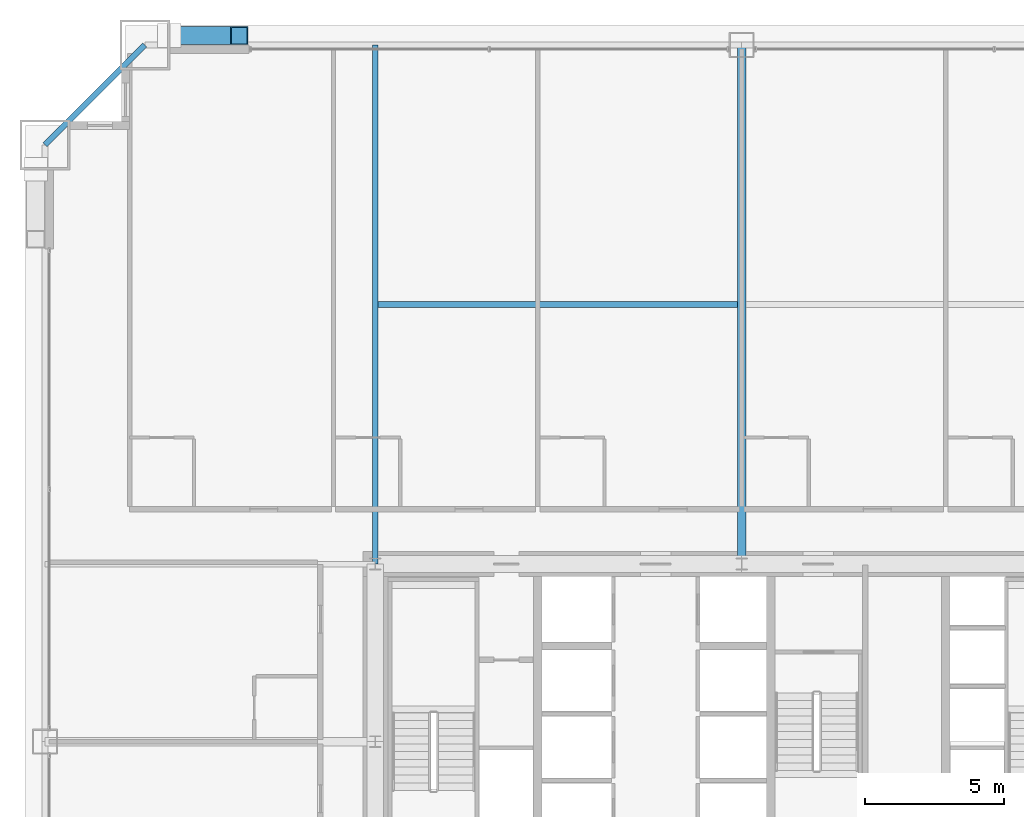
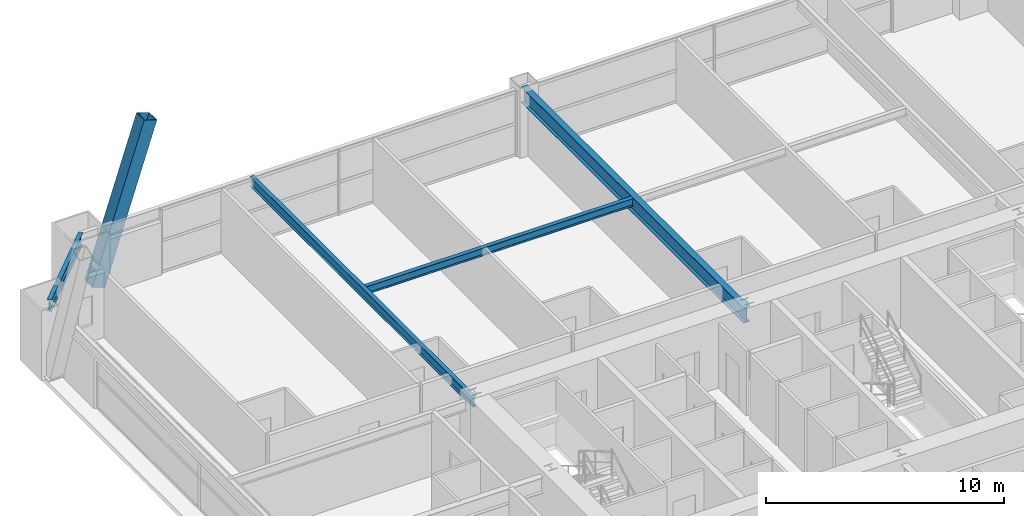
# One storey, part 25 of 43: 4 beams, 1 member.
"""IFC4 building model written with IfcOpenShell, lengths in metres."""

from ifc_helpers import new_model, si_unit, direction, frame, origin, origin_2d, place, context, subcontext, project, spatial, hollow_rectangle, i_section, extrude, source, transform, mapped, material, material_profile, profile_set, type_object, element, save


model = new_model("IFC4")

# Units and contexts
model_context = context("Model", 3, precision=1e-05, world=origin(), true_north=direction((0.0, 1.0)))
body_context = subcontext(model_context, "Body", "Model", "MODEL_VIEW")
ifc_project = project(units=[si_unit("LENGTHUNIT", "METRE"), si_unit("AREAUNIT", "SQUARE_METRE"), si_unit("VOLUMEUNIT", "CUBIC_METRE"), si_unit("PLANEANGLEUNIT", "RADIAN"), si_unit("MASSUNIT", "GRAM", prefix="KILO"), si_unit("THERMODYNAMICTEMPERATUREUNIT", "KELVIN"), si_unit("POWERUNIT", "WATT")], contexts=[model_context])

# Site, building, storey
site_placement = place(None, origin())
site = spatial("IfcSite", under=ifc_project, at=site_placement, CompositionType="ELEMENT")
building_placement = place(site_placement, origin())
building = spatial("IfcBuilding", under=site, at=building_placement, Name="Yuzanri Waterfront Tower", CompositionType="ELEMENT")
storey_placement = place(building_placement, frame((0.0, 0.0, 37.800048828125)))
storey = spatial("IfcBuildingStorey", under=building, at=storey_placement, Name="L09", CompositionType="ELEMENT", Elevation=37.800048828125)

# Beams
ifc_material_1 = material(Name="Steel Q355B", Category="steel")
ifc_material_profile_1 = material_profile(ifc_material_1, i_section(OverallWidth=0.199951171875, OverallDepth=0.60009765625, WebThickness=0.010986328125, FlangeThickness=0.01708984375, at=origin_2d()), Name="HN 600x200x11x17")
ifc_profile_set_1 = profile_set([ifc_material_profile_1], Name="Steel Q355B")
beam_type_1 = type_object("IfcBeamType", Name="Perimeter Spandrel Q355B HN 600x200", PredefinedType="SPANDREL", material=ifc_profile_set_1)
shared_shape_1 = source(origin(), body_context, "Body", "SweptSolid", [
    extrude(i_section(OverallWidth=0.199951171875, OverallDepth=0.60009765625, WebThickness=0.010986328125, FlangeThickness=0.01708984375, at=origin_2d()), origin(), (0.0, 0.0, 1.0), 5.091064453125),
])
beam_1_placement = place(storey_placement, frame((15.5, 50.89990234375, 3.02001953125), z_axis=(-0.707130757816, -0.707082803744, 0.0), x_axis=(0.707082803744, -0.707130757816, 0.0)))
element("IfcBeam", 1, at=beam_1_placement, inside=storey, type_object=beam_type_1, Name="L09 Perimeter Spandrel N1-W3", PredefinedType="SPANDREL", context=body_context, shape_type="MappedRepresentation", body=[
    mapped(shared_shape_1, transform((0.0, 0.0, 0.0), scale=1.0)),
])
ifc_material_2 = material(Name="Steel Q355B", Category="steel")
ifc_material_profile_2 = material_profile(ifc_material_2, i_section(OverallWidth=0.300048828125, OverallDepth=0.800048828125, WebThickness=0.013916015625, FlangeThickness=0.02587890625, at=origin_2d()), Name="HN 800x300x14x26")
ifc_profile_set_2 = profile_set([ifc_material_profile_2], Name="Steel Q355B")
beam_type_2 = type_object("IfcBeamType", Name="Primary Floor Girder Q355B HN 800x300", PredefinedType="BEAM", material=ifc_profile_set_2)
shared_shape_2 = source(origin(), body_context, "Body", "SweptSolid", [
    extrude(i_section(OverallWidth=0.300048828125, OverallDepth=0.800048828125, WebThickness=0.013916015625, FlangeThickness=0.02587890625, at=origin_2d()), origin(), (0.0, 0.0, 1.0), 18.699951171875),
])
beam_2_placement = place(storey_placement, frame((37.0, 32.199951171875, 2.919921875), z_axis=(0.0, 1.0, 0.0), x_axis=(-1.0, 0.0, 0.0)))
element("IfcBeam", 2, at=beam_2_placement, inside=storey, type_object=beam_type_2, Name="L09 North Grid Girder", PredefinedType="BEAM", context=body_context, shape_type="MappedRepresentation", body=[
    mapped(shared_shape_2, transform((0.0, 0.0, 0.0), scale=1.0)),
])
ifc_material_3 = material(Name="Steel Q355B", Category="steel")
ifc_material_profile_3 = material_profile(ifc_material_3, i_section(OverallWidth=0.199951171875, OverallDepth=0.5, WebThickness=0.010009765625, FlangeThickness=0.01611328125, at=origin_2d()), Name="HN 500x200x10x16")
ifc_profile_set_3 = profile_set([ifc_material_profile_3], Name="Steel Q355B")
beam_type_3 = type_object("IfcBeamType", Name="Secondary Floor Beam Q355B HN 500x200", PredefinedType="BEAM", material=ifc_profile_set_3)
shared_shape_3 = source(origin(), body_context, "Body", "SweptSolid", [
    extrude(i_section(OverallWidth=0.199951171875, OverallDepth=0.5, WebThickness=0.010009765625, FlangeThickness=0.01611328125, at=origin_2d()), origin(), (0.0, 0.0, 1.0), 18.699951171875),
])
beam_3_placement = place(storey_placement, frame((23.800048828125, 32.199951171875, 3.070068359375), z_axis=(0.0, 1.0, 0.0), x_axis=(-1.0, 0.0, 0.0)))
element("IfcBeam", 3, at=beam_3_placement, inside=storey, type_object=beam_type_3, Name="L09 North-West Core Line Beam", PredefinedType="BEAM", context=body_context, shape_type="MappedRepresentation", body=[
    mapped(shared_shape_3, transform((0.0, 0.0, 0.0), scale=1.0)),
])
ifc_material_4 = material(Name="Steel Q355B", Category="steel")
ifc_material_profile_4 = material_profile(ifc_material_4, i_section(OverallWidth=0.199951171875, OverallDepth=0.39990234375, WebThickness=0.008056640625, FlangeThickness=0.012939453125, at=origin_2d()), Name="HN 400x200x8x13")
ifc_profile_set_4 = profile_set([ifc_material_profile_4], Name="Steel Q355B")
beam_type_4 = type_object("IfcBeamType", Name="Floor Joist Q355B HN 400x200", PredefinedType="JOIST", material=ifc_profile_set_4)
shared_shape_4 = source(origin(), body_context, "Body", "SweptSolid", [
    extrude(i_section(OverallWidth=0.199951171875, OverallDepth=0.39990234375, WebThickness=0.008056640625, FlangeThickness=0.012939453125, at=origin_2d()), origin(), (0.0, 0.0, 1.0), 12.9501953125),
])
beam_4_placement = place(storey_placement, frame((23.89990234375, 41.550048828125, 3.119873046875), z_axis=(1.0, 0.0, 0.0), x_axis=(0.0, 1.0, 0.0)))
element("IfcBeam", 4, at=beam_4_placement, inside=storey, type_object=beam_type_4, Name="L09 North Bay Joist W", PredefinedType="JOIST", context=body_context, shape_type="MappedRepresentation", body=[
    mapped(shared_shape_4, transform((0.0, 0.0, 0.0), scale=1.0)),
])

# Member
ifc_material_5 = material(Name="Steel Q420GJC", Category="steel")
ifc_material_profile_5 = material_profile(ifc_material_5, hollow_rectangle(XDim=0.64990234375, YDim=0.64990234375, WallThickness=0.028076171875, at=origin_2d()), Name="RHS 650x650x28")
ifc_profile_set_5 = profile_set([ifc_material_profile_5], Name="Steel Q420GJC")
member_type = type_object("IfcMemberType", Name="Mega Brace Lower Q420GJC RHS 650x650x28", PredefinedType="BRACE", material=ifc_profile_set_5)
shared_shape_5 = source(origin(), body_context, "Body", "SweptSolid", [
    extrude(hollow_rectangle(XDim=0.64990234375, YDim=0.64990234375, WallThickness=0.028076171875, at=origin_2d()), origin(), (0.0, 0.0, 1.0), 8.101806640625),
])
member_placement = place(storey_placement, frame((16.3798828125, 51.239990234375, 0.179931640625), z_axis=(0.311043019491, 0.0, 0.950395833338), x_axis=(0.0, 1.0, 0.0)))
element("IfcMember", 5, at=member_placement, inside=storey, type_object=member_type, Name="L09-L10 Perimeter Mega-Brace N-L", PredefinedType="BRACE", context=body_context, shape_type="MappedRepresentation", body=[
    mapped(shared_shape_5, transform((0.0, 0.0, 0.0), scale=1.0)),
])

save(model, "model.ifc")
